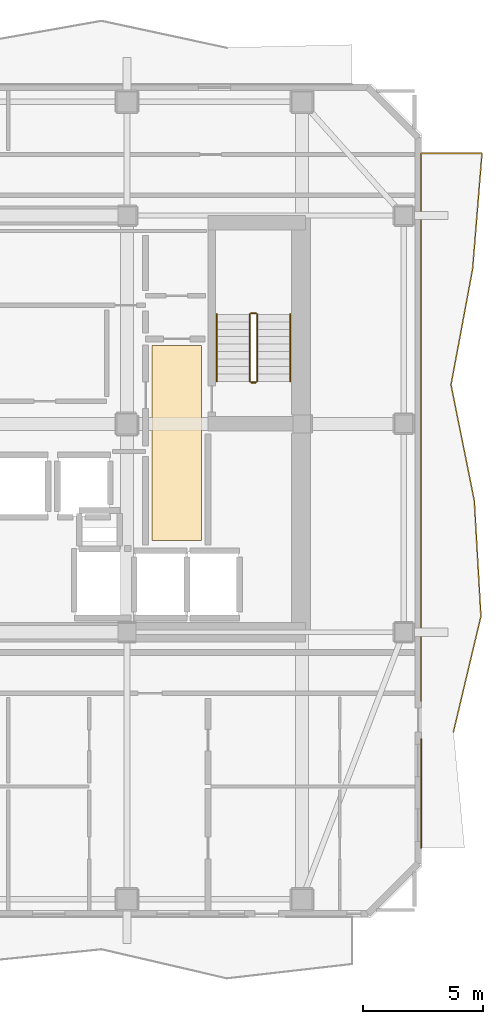
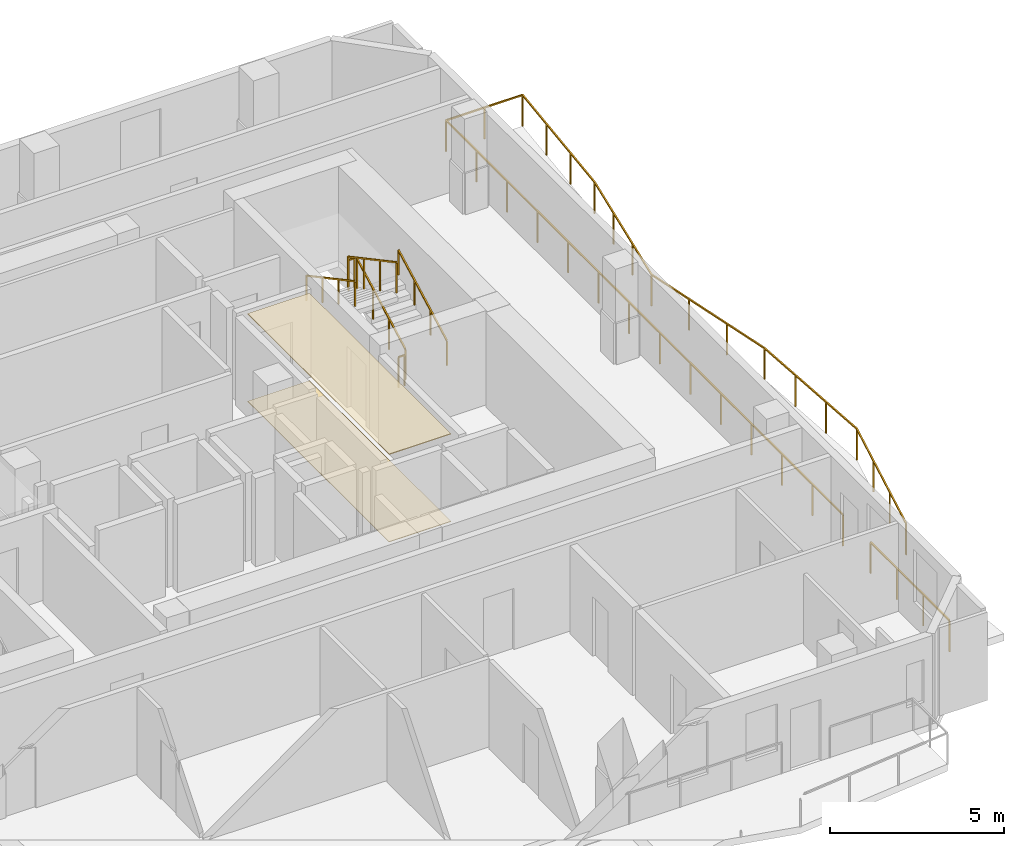
# One storey, part 9 of 10: 8 railings, 2 coverings.
"""IFC4 building model written with IfcOpenShell, lengths in metres."""

from ifc_helpers import new_model, si_unit, direction, frame, origin, origin_2d, place, context, subcontext, project, spatial, polyline, rectangle, outline, extrude, material, layer, layer_set, type_object, element, save


model = new_model("IFC4")

# Units and contexts
model_context = context("Model", 3, precision=1e-05, world=origin(), true_north=direction((0.0, 1.0)))
body_context = subcontext(model_context, "Body", "Model", "MODEL_VIEW")
ifc_project = project(units=[si_unit("LENGTHUNIT", "METRE"), si_unit("AREAUNIT", "SQUARE_METRE"), si_unit("VOLUMEUNIT", "CUBIC_METRE"), si_unit("PLANEANGLEUNIT", "RADIAN"), si_unit("MASSUNIT", "GRAM", prefix="KILO")], contexts=[model_context])

# Site, building, storey
site_placement = place(None, origin())
site = spatial("IfcSite", under=ifc_project, at=site_placement, CompositionType="ELEMENT")
building_placement = place(site_placement, origin())
building = spatial("IfcBuilding", under=site, at=building_placement, Name="Solanera Arch Residences", CompositionType="ELEMENT")
storey_placement = place(building_placement, frame((0.0, 0.0, 193.47998046875)))
storey = spatial("IfcBuildingStorey", under=building, at=storey_placement, Name="L56", CompositionType="ELEMENT", Elevation=193.47998046875)

# Railings
ifc_material_1 = material(Name="Steel S355 (ASTM A992 / A572 Grade 50)", Category="steel")
railing_type_1 = type_object("IfcRailingType", Name="Balustrade Railing BL-1100", PredefinedType="BALUSTRADE", material=ifc_material_1)
railing_1_placement = place(storey_placement, frame((42.830078125, 17.8330078125, 0.0)))
element("IfcRailing", 1, at=railing_1_placement, inside=storey, type_object=railing_type_1, Name="L56 E Balcony Balustrade 1", PredefinedType="BALUSTRADE", context=body_context, shape_type="SweptSolid", body=[
    extrude(rectangle(XDim=0.048095703125, YDim=0.048095703125, at=origin_2d()), frame((0.0, 0.0, 1.09619140625), z_axis=(0.231421244974, 0.972853641292, 0.0), x_axis=(-0.972853641292, 0.231421244974, 0.0)), (0.0, 0.0, 1.0), 4.96875),
    extrude(rectangle(XDim=0.048095703125, YDim=0.048095703125, at=origin_2d()), frame((1.14990234375, 4.833984375, 1.09619140625), z_axis=(-0.057240808994, 0.99836040075, 0.0), x_axis=(-0.99836040075, -0.057240808994, 0.0)), (0.0, 0.0, 1.0), 4.841064453125),
    extrude(rectangle(XDim=0.048095703125, YDim=0.048095703125, at=origin_2d()), frame((0.872802734375, 9.6669921875, 1.09619140625), z_axis=(-0.197154119603, 0.980372507327, 0.0), x_axis=(-0.980372507327, -0.197154119603, 0.0)), (0.0, 0.0, 1.0), 4.9296875),
    extrude(rectangle(XDim=0.048095703125, YDim=0.048095703125, at=origin_2d()), frame((-0.09912109375, 14.5, 1.09619140625), z_axis=(0.18344913665, 0.983029203158, 0.0), x_axis=(-0.983029203158, 0.18344913665, 0.0)), (0.0, 0.0, 1.0), 4.91748046875),
    extrude(rectangle(XDim=0.048095703125, YDim=0.048095703125, at=origin_2d()), frame((0.802978515625, 19.333984375, 1.09619140625), z_axis=(0.080811812993, 0.996729376953, 0.0), x_axis=(-0.996729376953, 0.080811812993, 0.0)), (0.0, 0.0, 1.0), 4.848876953125),
    extrude(rectangle(XDim=0.048095703125, YDim=0.048095703125, at=origin_2d()), frame((1.19482421875, 24.1669921875, 1.09619140625), z_axis=(-1.0, 0.0, 0.0), x_axis=(0.0, -1.0, 0.0)), (0.0, 0.0, 1.0), 2.544921875),
    extrude(rectangle(XDim=0.048095703125, YDim=0.048095703125, at=origin_2d()), frame((-1.35009765625, 24.1669921875, 1.09619140625), z_axis=(0.0, -1.0, 0.0), x_axis=(1.0, 0.0, 0.0)), (0.0, 0.0, 1.0), 22.863037109375),
    extrude(rectangle(XDim=0.0419921875, YDim=0.0419921875, at=origin_2d()), origin(), (0.0, 0.0, 1.0), 1.072021484375),
    extrude(rectangle(XDim=0.0419921875, YDim=0.0419921875, at=origin_2d()), frame((0.38330078125, 1.611328125, 0.0)), (0.0, 0.0, 1.0), 1.072021484375),
    extrude(rectangle(XDim=0.0419921875, YDim=0.0419921875, at=origin_2d()), frame((0.7666015625, 3.22265625, 0.0)), (0.0, 0.0, 1.0), 1.072021484375),
    extrude(rectangle(XDim=0.0419921875, YDim=0.0419921875, at=origin_2d()), frame((1.14990234375, 4.833984375, 0.0)), (0.0, 0.0, 1.0), 1.072021484375),
    extrude(rectangle(XDim=0.0419921875, YDim=0.0419921875, at=origin_2d()), frame((1.0576171875, 6.445068359375, 0.0)), (0.0, 0.0, 1.0), 1.072021484375),
    extrude(rectangle(XDim=0.0419921875, YDim=0.0419921875, at=origin_2d()), frame((0.965087890625, 8.055908203125, 0.0)), (0.0, 0.0, 1.0), 1.072021484375),
    extrude(rectangle(XDim=0.0419921875, YDim=0.0419921875, at=origin_2d()), frame((0.872802734375, 9.6669921875, 0.0)), (0.0, 0.0, 1.0), 1.072021484375),
    extrude(rectangle(XDim=0.0419921875, YDim=0.0419921875, at=origin_2d()), frame((0.548828125, 11.278076171875, 0.0)), (0.0, 0.0, 1.0), 1.072021484375),
    extrude(rectangle(XDim=0.0419921875, YDim=0.0419921875, at=origin_2d()), frame((0.224853515625, 12.888916015625, 0.0)), (0.0, 0.0, 1.0), 1.072021484375),
    extrude(rectangle(XDim=0.0419921875, YDim=0.0419921875, at=origin_2d()), frame((-0.09912109375, 14.5, 0.0)), (0.0, 0.0, 1.0), 1.072021484375),
    extrude(rectangle(XDim=0.0419921875, YDim=0.0419921875, at=origin_2d()), frame((0.20166015625, 16.111328125, 0.0)), (0.0, 0.0, 1.0), 1.072021484375),
    extrude(rectangle(XDim=0.0419921875, YDim=0.0419921875, at=origin_2d()), frame((0.502197265625, 17.72265625, 0.0)), (0.0, 0.0, 1.0), 1.072021484375),
    extrude(rectangle(XDim=0.0419921875, YDim=0.0419921875, at=origin_2d()), frame((0.802978515625, 19.333984375, 0.0)), (0.0, 0.0, 1.0), 1.072021484375),
    extrude(rectangle(XDim=0.0419921875, YDim=0.0419921875, at=origin_2d()), frame((0.93359375, 20.945068359375, 0.0)), (0.0, 0.0, 1.0), 1.072021484375),
    extrude(rectangle(XDim=0.0419921875, YDim=0.0419921875, at=origin_2d()), frame((1.064208984375, 22.555908203125, 0.0)), (0.0, 0.0, 1.0), 1.072021484375),
    extrude(rectangle(XDim=0.0419921875, YDim=0.0419921875, at=origin_2d()), frame((1.19482421875, 24.1669921875, 0.0)), (0.0, 0.0, 1.0), 1.072021484375),
    extrude(rectangle(XDim=0.0419921875, YDim=0.0419921875, at=origin_2d()), frame((-0.07763671875, 24.1669921875, 0.0)), (0.0, 0.0, 1.0), 1.072021484375),
    extrude(rectangle(XDim=0.0419921875, YDim=0.0419921875, at=origin_2d()), frame((-1.35009765625, 24.1669921875, 0.0)), (0.0, 0.0, 1.0), 1.072021484375),
    extrude(rectangle(XDim=0.0419921875, YDim=0.0419921875, at=origin_2d()), frame((-1.35009765625, 22.408203125, 0.0)), (0.0, 0.0, 1.0), 1.072021484375),
    extrude(rectangle(XDim=0.0419921875, YDim=0.0419921875, at=origin_2d()), frame((-1.35009765625, 20.649658203125, 0.0)), (0.0, 0.0, 1.0), 1.072021484375),
    extrude(rectangle(XDim=0.0419921875, YDim=0.0419921875, at=origin_2d()), frame((-1.35009765625, 18.890869140625, 0.0)), (0.0, 0.0, 1.0), 1.072021484375),
    extrude(rectangle(XDim=0.0419921875, YDim=0.0419921875, at=origin_2d()), frame((-1.35009765625, 17.13232421875, 0.0)), (0.0, 0.0, 1.0), 1.072021484375),
    extrude(rectangle(XDim=0.0419921875, YDim=0.0419921875, at=origin_2d()), frame((-1.35009765625, 15.37353515625, 0.0)), (0.0, 0.0, 1.0), 1.072021484375),
    extrude(rectangle(XDim=0.0419921875, YDim=0.0419921875, at=origin_2d()), frame((-1.35009765625, 13.61474609375, 0.0)), (0.0, 0.0, 1.0), 1.072021484375),
    extrude(rectangle(XDim=0.0419921875, YDim=0.0419921875, at=origin_2d()), frame((-1.35009765625, 11.856201171875, 0.0)), (0.0, 0.0, 1.0), 1.072021484375),
    extrude(rectangle(XDim=0.0419921875, YDim=0.0419921875, at=origin_2d()), frame((-1.35009765625, 10.097412109375, 0.0)), (0.0, 0.0, 1.0), 1.072021484375),
    extrude(rectangle(XDim=0.0419921875, YDim=0.0419921875, at=origin_2d()), frame((-1.35009765625, 8.338623046875, 0.0)), (0.0, 0.0, 1.0), 1.072021484375),
    extrude(rectangle(XDim=0.0419921875, YDim=0.0419921875, at=origin_2d()), frame((-1.35009765625, 6.580078125, 0.0)), (0.0, 0.0, 1.0), 1.072021484375),
    extrude(rectangle(XDim=0.0419921875, YDim=0.0419921875, at=origin_2d()), frame((-1.35009765625, 4.8212890625, 0.0)), (0.0, 0.0, 1.0), 1.072021484375),
    extrude(rectangle(XDim=0.0419921875, YDim=0.0419921875, at=origin_2d()), frame((-1.35009765625, 3.062744140625, 0.0)), (0.0, 0.0, 1.0), 1.072021484375),
    extrude(rectangle(XDim=0.0419921875, YDim=0.0419921875, at=origin_2d()), frame((-1.35009765625, 1.303955078125, 0.0)), (0.0, 0.0, 1.0), 1.072021484375),
])
railing_2_placement = place(storey_placement, frame((41.47998046875, 17.537109375, 0.0)))
element("IfcRailing", 2, at=railing_2_placement, inside=storey, type_object=railing_type_1, Name="L56 E Balcony Balustrade 2", PredefinedType="BALUSTRADE", context=body_context, shape_type="SweptSolid", body=[
    extrude(rectangle(XDim=0.048095703125, YDim=0.048095703125, at=origin_2d()), frame((0.0, 0.0, 1.09619140625), z_axis=(0.0, -1.0, 0.0), x_axis=(1.0, 0.0, 0.0)), (0.0, 0.0, 1.0), 4.537109375),
    extrude(rectangle(XDim=0.0419921875, YDim=0.0419921875, at=origin_2d()), origin(), (0.0, 0.0, 1.0), 1.072021484375),
    extrude(rectangle(XDim=0.0419921875, YDim=0.0419921875, at=origin_2d()), frame((0.0, -1.512451171875, 0.0)), (0.0, 0.0, 1.0), 1.072021484375),
    extrude(rectangle(XDim=0.0419921875, YDim=0.0419921875, at=origin_2d()), frame((0.0, -3.024658203125, 0.0)), (0.0, 0.0, 1.0), 1.072021484375),
    extrude(rectangle(XDim=0.0419921875, YDim=0.0419921875, at=origin_2d()), frame((0.0, -4.537109375, 0.0)), (0.0, 0.0, 1.0), 1.072021484375),
])

# Covering
ifc_material_2 = material(Name="Porcelain Acoustic Floor Tile", Category="ceramic")
ifc_layer_1 = layer(ifc_material_2, 0.02001953125)
ifc_layer_set_1 = layer_set([ifc_layer_1], Name="Porcelain Acoustic Floor Tile")
covering_type_1 = type_object("IfcCoveringType", Name="Porcelain Acoustic Floor Finish FLR-20", PredefinedType="FLOORING", material=ifc_layer_set_1)
covering_1_placement = place(storey_placement, origin())
element("IfcCovering", 3, at=covering_1_placement, inside=storey, type_object=covering_type_1, Name="L56-FFL-E Porcelain Floor Finish", PredefinedType="FLOORING", context=body_context, shape_type="SweptSolid", body=[
    extrude(outline(polyline([(32.304931640625, 25.824951171875), (30.25, 25.824951171875), (30.25, 33.97509765625), (32.304931640625, 33.97509765625), (32.304931640625, 25.824951171875)])), origin(), (0.0, 0.0, 1.0), 0.02001953125),
])

# Railings
ifc_material_3 = material(Name="Steel S355 (ASTM A992 / A572 Grade 50)", Category="steel")
railing_type_2 = type_object("IfcRailingType", Name="Stair Guardrail GR-1100", PredefinedType="GUARDRAIL", material=ifc_material_3)
railing_3_placement = place(storey_placement, frame((34.6298828125, 32.47998046875, 0.151123046875)))
element("IfcRailing", 4, at=railing_3_placement, inside=storey, type_object=railing_type_2, Name="L56 ST-T2 stair guard 1", PredefinedType="GUARDRAIL", context=body_context, shape_type="SweptSolid", body=[
    extrude(rectangle(XDim=0.048095703125, YDim=0.048095703125, at=origin_2d()), frame((0.0, 0.0, 1.076171875), z_axis=(0.0, 0.881580869306, 0.472033018838), x_axis=(-1.0, 0.0, 0.0)), (0.0, 0.0, 1.0), 3.164794921875),
    extrude(rectangle(XDim=0.0419921875, YDim=0.0419921875, at=origin_2d()), origin(), (0.0, 0.0, 1.0), 1.052001953125),
    extrude(rectangle(XDim=0.0419921875, YDim=0.0419921875, at=origin_2d()), frame((0.0, 0.929931640625, 0.498046875)), (0.0, 0.0, 1.0), 1.052001953125),
    extrude(rectangle(XDim=0.0419921875, YDim=0.0419921875, at=origin_2d()), frame((0.0, 1.860107421875, 0.995849609375)), (0.0, 0.0, 1.0), 1.052001953125),
    extrude(rectangle(XDim=0.0419921875, YDim=0.0419921875, at=origin_2d()), frame((0.0, 2.7900390625, 1.493896484375)), (0.0, 0.0, 1.0), 1.052001953125),
])
railing_4_placement = place(storey_placement, frame((34.580078125, 35.320068359375, 1.64501953125)))
element("IfcRailing", 5, at=railing_4_placement, inside=storey, type_object=railing_type_2, Name="L56 ST-T2 stair guard 2", PredefinedType="GUARDRAIL", context=body_context, shape_type="SweptSolid", body=[
    extrude(rectangle(XDim=0.048095703125, YDim=0.048095703125, at=origin_2d()), frame((0.0, 0.0, 1.076171875), z_axis=(-1.0, 0.0, 0.0), x_axis=(0.0, -1.0, 0.0)), (0.0, 0.0, 1.0), 0.2001953125),
    extrude(rectangle(XDim=0.0419921875, YDim=0.0419921875, at=origin_2d()), origin(), (0.0, 0.0, 1.0), 1.052001953125),
    extrude(rectangle(XDim=0.0419921875, YDim=0.0419921875, at=origin_2d()), frame((-0.2001953125, 0.0, 0.0)), (0.0, 0.0, 1.0), 1.052001953125),
])
railing_5_placement = place(storey_placement, frame((34.330078125, 35.27001953125, 1.81103515625)))
element("IfcRailing", 6, at=railing_5_placement, inside=storey, type_object=railing_type_2, Name="L56 ST-T2 stair guard 3", PredefinedType="GUARDRAIL", context=body_context, shape_type="SweptSolid", body=[
    extrude(rectangle(XDim=0.048095703125, YDim=0.048095703125, at=origin_2d()), frame((0.0, 0.0, 1.076171875), z_axis=(0.0, -0.881580869306, 0.472033018838), x_axis=(1.0, 0.0, 0.0)), (0.0, 0.0, 1.0), 3.164794921875),
    extrude(rectangle(XDim=0.0419921875, YDim=0.0419921875, at=origin_2d()), origin(), (0.0, 0.0, 1.0), 1.052001953125),
    extrude(rectangle(XDim=0.0419921875, YDim=0.0419921875, at=origin_2d()), frame((0.0, -0.929931640625, 0.498046875)), (0.0, 0.0, 1.0), 1.052001953125),
    extrude(rectangle(XDim=0.0419921875, YDim=0.0419921875, at=origin_2d()), frame((0.0, -1.860107421875, 0.995849609375)), (0.0, 0.0, 1.0), 1.052001953125),
    extrude(rectangle(XDim=0.0419921875, YDim=0.0419921875, at=origin_2d()), frame((0.0, -2.7900390625, 1.493896484375)), (0.0, 0.0, 1.0), 1.052001953125),
])
railing_6_placement = place(storey_placement, frame((34.580078125, 32.429931640625, -0.014892578125)))
element("IfcRailing", 7, at=railing_6_placement, inside=storey, type_object=railing_type_2, Name="L56 ST-T2 stair guard 4", PredefinedType="GUARDRAIL", context=body_context, shape_type="SweptSolid", body=[
    extrude(rectangle(XDim=0.048095703125, YDim=0.048095703125, at=origin_2d()), frame((0.0, 0.0, 1.076171875), z_axis=(-1.0, 0.0, 0.0), x_axis=(0.0, -1.0, 0.0)), (0.0, 0.0, 1.0), 0.2001953125),
    extrude(rectangle(XDim=0.0419921875, YDim=0.0419921875, at=origin_2d()), origin(), (0.0, 0.0, 1.0), 1.052001953125),
    extrude(rectangle(XDim=0.0419921875, YDim=0.0419921875, at=origin_2d()), frame((-0.2001953125, 0.0, 0.0)), (0.0, 0.0, 1.0), 1.052001953125),
])
ifc_material_4 = material(Name="Steel S355 (ASTM A992 / A572 Grade 50)", Category="steel")
railing_type_3 = type_object("IfcRailingType", Name="Stair Wall Handrail HR-920", PredefinedType="HANDRAIL", material=ifc_material_4)
railing_7_placement = place(storey_placement, frame((36.010009765625, 32.47998046875, 0.166015625)))
element("IfcRailing", 8, at=railing_7_placement, inside=storey, type_object=railing_type_3, Name="L56 ST-T2 stair handrail 1", PredefinedType="HANDRAIL", context=body_context, shape_type="SweptSolid", body=[
    extrude(rectangle(XDim=0.048095703125, YDim=0.048095703125, at=origin_2d()), frame((0.0, 0.0, 0.8759765625), z_axis=(0.0, 0.881580869306, 0.472033018838), x_axis=(-1.0, 0.0, 0.0)), (0.0, 0.0, 1.0), 3.164794921875),
    extrude(rectangle(XDim=0.0419921875, YDim=0.0419921875, at=origin_2d()), origin(), (0.0, 0.0, 1.0), 0.851806640625),
    extrude(rectangle(XDim=0.0419921875, YDim=0.0419921875, at=origin_2d()), frame((0.0, 0.929931640625, 0.498046875)), (0.0, 0.0, 1.0), 0.851806640625),
    extrude(rectangle(XDim=0.0419921875, YDim=0.0419921875, at=origin_2d()), frame((0.0, 1.860107421875, 0.995849609375)), (0.0, 0.0, 1.0), 0.851806640625),
    extrude(rectangle(XDim=0.0419921875, YDim=0.0419921875, at=origin_2d()), frame((0.0, 2.7900390625, 1.493896484375)), (0.0, 0.0, 1.0), 0.851806640625),
])
railing_8_placement = place(storey_placement, frame((32.949951171875, 35.27001953125, 1.825927734375)))
element("IfcRailing", 9, at=railing_8_placement, inside=storey, type_object=railing_type_3, Name="L56 ST-T2 stair handrail 2", PredefinedType="HANDRAIL", context=body_context, shape_type="SweptSolid", body=[
    extrude(rectangle(XDim=0.048095703125, YDim=0.048095703125, at=origin_2d()), frame((0.0, 0.0, 0.8759765625), z_axis=(0.0, -0.881548766853, 0.472092969298), x_axis=(1.0, 0.0, 0.0)), (0.0, 0.0, 1.0), 3.1650390625),
    extrude(rectangle(XDim=0.0419921875, YDim=0.0419921875, at=origin_2d()), origin(), (0.0, 0.0, 1.0), 0.851806640625),
    extrude(rectangle(XDim=0.0419921875, YDim=0.0419921875, at=origin_2d()), frame((0.0, -0.929931640625, 0.498046875)), (0.0, 0.0, 1.0), 0.851806640625),
    extrude(rectangle(XDim=0.0419921875, YDim=0.0419921875, at=origin_2d()), frame((0.0, -1.860107421875, 0.99609375)), (0.0, 0.0, 1.0), 0.851806640625),
    extrude(rectangle(XDim=0.0419921875, YDim=0.0419921875, at=origin_2d()), frame((0.0, -2.7900390625, 1.494140625)), (0.0, 0.0, 1.0), 0.851806640625),
])

# Covering
ifc_material_5 = material(Name="Mineral Fibre Acoustic Ceiling Board", Category="gypsum")
ifc_layer_2 = layer(ifc_material_5, 0.02490234375)
ifc_layer_set_2 = layer_set([ifc_layer_2], Name="Mineral Fibre Acoustic Ceiling Board")
covering_type_2 = type_object("IfcCoveringType", Name="Suspended Acoustic Ceiling Board CLG-25", PredefinedType="CEILING", material=ifc_layer_set_2)
covering_2_placement = place(storey_placement, frame((0.0, 0.0, 3.074951171875)))
element("IfcCovering", 10, at=covering_2_placement, inside=storey, type_object=covering_type_2, Name="L56-FFL-E Acoustic Ceiling", PredefinedType="CEILING", context=body_context, shape_type="SweptSolid", body=[
    extrude(outline(polyline([(32.304931640625, 25.824951171875), (30.25, 25.824951171875), (30.25, 33.97509765625), (32.304931640625, 33.97509765625), (32.304931640625, 25.824951171875)])), origin(), (0.0, 0.0, 1.0), 0.025146484375),
])

save(model, "model.ifc")
